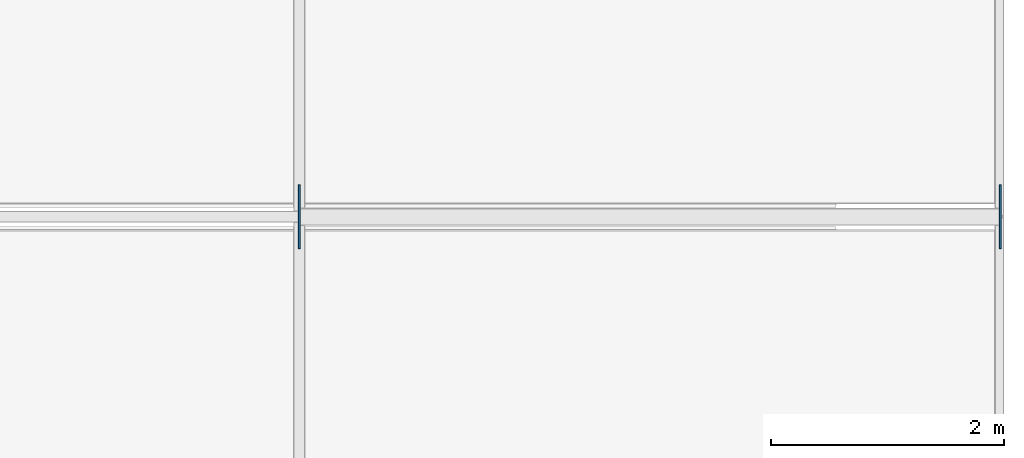
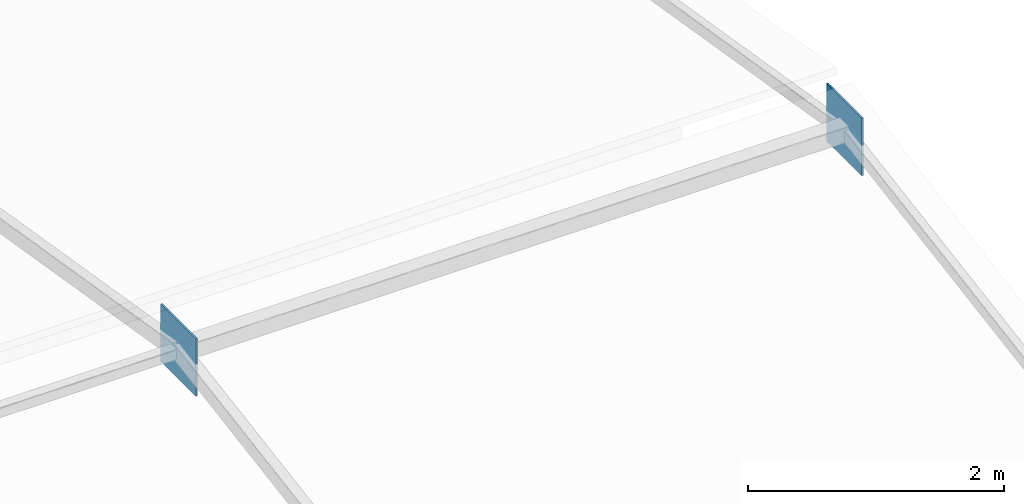
# One storey, part 253 of 262: 2 plates.
"""IFC4 building model written with IfcOpenShell, lengths in metres."""

import ifcopenshell
import ifcopenshell.guid

model = None  # the IFC model being written
_history = None  # IfcOwnerHistory: only IFC2X3 demands one
_inside = {}  # id of a spatial element -> (the spatial element, [elements in it])
_under = {}  # id of a project, library or spatial element -> (it, [spatial elements below it])
_declared = {}  # id of a project -> (the project, [libraries it declares])
_typed = {}  # id of a type object -> (the type object, [elements of that type])
_made_of = {}  # id of a material, layer set ... -> (it, [elements and type objects made of it])


def new_model(schema):
    """Start an empty IFC model of exactly this schema.

    Asked for "IFC4X3", IfcOpenShell would pick the latest addendum, in which some entities
    have other attributes; the version numbers below select the first issue.
    IFC2X3 requires an IfcOwnerHistory on every rooted entity: one is made here for all.
    """
    global model, _history
    if schema == "IFC4X3":
        model = ifcopenshell.file(schema_version=(4, 3, 0, 0))
    else:
        model = ifcopenshell.file(schema=schema)
    _inside.clear()
    _under.clear()
    _declared.clear()
    _typed.clear()
    _made_of.clear()
    _history = None
    if model.schema == "IFC2X3":
        org = make("IfcOrganization", Name="unknown")
        user = make(
            "IfcPersonAndOrganization",
            ThePerson=make("IfcPerson", FamilyName="unknown"),
            TheOrganization=org,
        )
        app = make(
            "IfcApplication",
            ApplicationDeveloper=org,
            Version="unknown",
            ApplicationFullName="unknown",
            ApplicationIdentifier="unknown",
        )
        _history = make(
            "IfcOwnerHistory",
            OwningUser=user,
            OwningApplication=app,
            ChangeAction="ADDED",
            CreationDate=0,
        )
    return model


def make(cls, **values):
    """One entity of the class cls with the attributes given. An attribute that is None is left unset."""
    return model.create_entity(
        cls, **{name: value for name, value in values.items() if value is not None}
    )


def rooted(cls, **values):
    """An entity with a GlobalId (a new one), such as an element, a storey or a relation."""
    return make(cls, GlobalId=ifcopenshell.guid.new(), OwnerHistory=_history, **values)


def si_unit(unit_type, name, prefix=None):
    """IfcSIUnit, for example si_unit("LENGTHUNIT", "METRE", prefix="MILLI")."""
    return make("IfcSIUnit", UnitType=unit_type, Prefix=prefix, Name=name)


def derived_unit(unit_type, elements):
    """IfcDerivedUnit: a product of units, each with its exponent."""
    return make(
        "IfcDerivedUnit",
        Elements=[
            make("IfcDerivedUnitElement", Unit=unit, Exponent=power)
            for unit, power in elements
        ],
        UnitType=unit_type,
    )


def assignment(units):
    """IfcUnitAssignment: the units of a project."""
    return None if units is None else make("IfcUnitAssignment", Units=units)


def point(xyz):
    """IfcCartesianPoint."""
    return None if xyz is None else make("IfcCartesianPoint", Coordinates=xyz)


def direction(xyz):
    """IfcDirection."""
    return None if xyz is None else make("IfcDirection", DirectionRatios=xyz)


def frame(location, z_axis=None, x_axis=None):
    """IfcAxis2Placement3D, a coordinate frame: its origin and axes. An axis left out is left unset."""
    return make(
        "IfcAxis2Placement3D",
        Location=point(location),
        Axis=direction(z_axis),
        RefDirection=direction(x_axis),
    )


def frame_2d(location, x_axis=None):
    """IfcAxis2Placement2D, a coordinate frame in the plane: its origin and x axis."""
    return make(
        "IfcAxis2Placement2D", Location=point(location), RefDirection=direction(x_axis)
    )


def origin():
    """The frame at (0, 0, 0) with its axes left unset."""
    return frame((0.0, 0.0, 0.0))


def origin_2d():
    """The frame at (0, 0) in the plane with its x axis left unset."""
    return frame_2d((0.0, 0.0))


def place(relative_to, where):
    """IfcLocalPlacement: puts the frame where relative to a parent placement (None: the world)."""
    return make(
        "IfcLocalPlacement", PlacementRelTo=relative_to, RelativePlacement=where
    )


def context(
    kind, dimensions, precision=None, world=None, true_north=None, identifier=None
):
    """IfcGeometricRepresentationContext, for example the 3D "Model" context."""
    return make(
        "IfcGeometricRepresentationContext",
        ContextIdentifier=identifier,
        ContextType=kind,
        CoordinateSpaceDimension=dimensions,
        Precision=precision,
        WorldCoordinateSystem=world,
        TrueNorth=true_north,
    )


def subcontext(parent, identifier, kind, view, scale=None):
    """IfcGeometricRepresentationSubContext, for example "Body" below "Model"."""
    return make(
        "IfcGeometricRepresentationSubContext",
        ContextIdentifier=identifier,
        ContextType=kind,
        ParentContext=parent,
        TargetScale=scale,
        TargetView=view,
    )


def project(units=None, contexts=None):
    """IfcProject with its units and contexts."""
    return rooted(
        "IfcProject",
        Name="project",
        RepresentationContexts=contexts,
        UnitsInContext=assignment(units),
    )


def spatial(cls, under=None, at=None, **own):
    """A site, building, storey or space (cls), placed at a placement, below another one or the project."""
    s = rooted(cls, ObjectPlacement=at, **own)
    if under is not None:
        _under.setdefault(under.id(), (under, []))[1].append(s)
    return s


def profile(cls, at=None, kind="AREA", **sizes):
    """A parametric profile (cls). Its sizes go by their IFC names, for example OverallWidth=200.0."""
    return make(cls, ProfileType=kind, Position=at, **sizes)


def rectangle(**sizes):
    """IfcRectangleProfileDef."""
    return profile("IfcRectangleProfileDef", **sizes)


def extrude(swept, where, along, depth):
    """IfcExtrudedAreaSolid: the profile swept, set in the frame where, extruded along a direction by depth."""
    return make(
        "IfcExtrudedAreaSolid",
        SweptArea=swept,
        Position=where,
        ExtrudedDirection=direction(along),
        Depth=depth,
    )


def shape(context_of_items, identifier, shape_type, items):
    """IfcShapeRepresentation: the items that make up one representation, for example the "Body"."""
    return make(
        "IfcShapeRepresentation",
        ContextOfItems=context_of_items,
        RepresentationIdentifier=identifier,
        RepresentationType=shape_type,
        Items=items,
    )


def material(Name=None, Category=None):
    """IfcMaterial."""
    return make("IfcMaterial", Name=Name, Category=Category)


def layer(
    of_material, thickness, ventilated=None, Name=None, Category=None, Priority=None
):
    """IfcMaterialLayer: one layer of a wall or slab, of a material (None: an air gap)."""
    return make(
        "IfcMaterialLayer",
        Material=of_material,
        LayerThickness=thickness,
        IsVentilated=ventilated,
        Name=Name,
        Category=Category,
        Priority=Priority,
    )


def layer_set(layers, Name=None):
    """IfcMaterialLayerSet."""
    return make("IfcMaterialLayerSet", MaterialLayers=layers, LayerSetName=Name)


def made_of(thing, what):
    """Note that an element or type object is made of a material, layer set ...; save() writes the relation."""
    if what is not None:
        _made_of.setdefault(what.id(), (what, []))[1].append(thing)
    return thing


def type_object(cls, material=None, **own):
    """A type object (cls), such as IfcWallType, which elements share."""
    return made_of(rooted(cls, **own), material)


def element(
    cls,
    number,
    at=None,
    inside=None,
    cuts=None,
    type_object=None,
    material=None,
    context=None,
    identifier="Body",
    shape_type=None,
    held_by="IfcProductDefinitionShape",
    body=None,
    shapes=None,
    **own,
):
    """One element of the class cls, such as IfcWall. Its Tag is "e" and its number.

    at: its placement. inside: the storey or other place that contains it. cuts: it is an
    opening in that element (IfcRelVoidsElement). A single representation is given by context,
    identifier, shape_type and body (its items); several are given by shapes. held_by: the class
    of the entity that holds the representations. save() writes the other relations.
    """
    e = rooted(cls, Tag="e%d" % number, ObjectPlacement=at, **own)
    if body is not None:
        shapes = [shape(context, identifier, shape_type, body)]
    if shapes is not None:
        e.Representation = make(held_by, Representations=shapes)
    if inside is not None:
        _inside.setdefault(inside.id(), (inside, []))[1].append(e)
    if cuts is not None:
        rooted(
            "IfcRelVoidsElement", RelatingBuildingElement=cuts, RelatedOpeningElement=e
        )
    if type_object is not None:
        _typed.setdefault(type_object.id(), (type_object, []))[1].append(e)
    return made_of(e, material)


def aggregate(whole, parts):
    """IfcRelAggregates: a whole, such as a stair, and the parts it consists of."""
    return rooted("IfcRelAggregates", RelatingObject=whole, RelatedObjects=parts)


def save(model, path):
    """Write the relations noted so far, then the file.

    IfcRelAggregates (storeys below a building ...), IfcRelContainedInSpatialStructure (elements
    in a storey), IfcRelDefinesByType, IfcRelAssociatesMaterial and IfcRelDeclares: one each for
    every whole, place, type object, material and project.
    """
    for whole, parts in _under.values():
        aggregate(whole, parts)
    for where, things in _inside.values():
        rooted(
            "IfcRelContainedInSpatialStructure",
            RelatedElements=things,
            RelatingStructure=where,
        )
    for kind, things in _typed.values():
        rooted("IfcRelDefinesByType", RelatedObjects=things, RelatingType=kind)
    for what, things in _made_of.values():
        rooted("IfcRelAssociatesMaterial", RelatedObjects=things, RelatingMaterial=what)
    for by, libraries in _declared.values():
        rooted("IfcRelDeclares", RelatingContext=by, RelatedDefinitions=libraries)
    model.write(path)


model = new_model("IFC4")

# Units and contexts
model_context = context("Model", 3, precision=1e-05, world=origin(), true_north=direction((0.0, 1.0)))
body_context = subcontext(model_context, "Body", "Model", "MODEL_VIEW")
ifc_project = project(units=[si_unit("LENGTHUNIT", "METRE"), si_unit("AREAUNIT", "SQUARE_METRE"), si_unit("VOLUMEUNIT", "CUBIC_METRE"), si_unit("PLANEANGLEUNIT", "RADIAN"), si_unit("MASSUNIT", "GRAM", prefix="KILO"), derived_unit("THERMALTRANSMITTANCEUNIT", [(si_unit("POWERUNIT", "WATT"), 1), (si_unit("LENGTHUNIT", "METRE"), -2), (si_unit("THERMODYNAMICTEMPERATUREUNIT", "KELVIN"), -1)])], contexts=[model_context])

# Site, building, storey
site_placement = place(None, origin())
site = spatial("IfcSite", under=ifc_project, at=site_placement, CompositionType="ELEMENT")
building_placement = place(site_placement, origin())
building = spatial("IfcBuilding", under=site, at=building_placement, Name="Almenara Railside Exhibition Hall", CompositionType="ELEMENT")
storey_placement = place(building_placement, frame((0.0, 0.0, 21.699951171875)))
storey = spatial("IfcBuildingStorey", under=building, at=storey_placement, Name="RF", CompositionType="ELEMENT", Elevation=21.699951171875)

# Plates
ifc_material = material(Name="Structural steel S355JR", Category="steel")
ifc_layer = layer(ifc_material, 0.01611328125, Name="Structural steel S355JR")
ifc_layer_set = layer_set([ifc_layer], Name="Structural steel S355JR")
plate_type = type_object("IfcPlateType", Name="Truss Node Gusset Plate 16mm S355JR", PredefinedType="USERDEFINED", material=ifc_layer_set)
for number, where, z_axis, x_axis, name in (
    (1, (198.0, 14.0, 0.8251953125), (0.0, 0.0, 1.0), (0.0, 1.0, 0.0), "PLT-GUS-0354"),
    (2, (204.008056640625, 14.0, 0.8251953125), (0.0, 0.0, 1.0), (0.0, 1.0, 0.0), "PLT-GUS-0355"),
):
    element("IfcPlate", number, at=place(storey_placement, frame(where, z_axis=z_axis, x_axis=x_axis)), inside=storey, type_object=plate_type, Name=name, ObjectType="GUSSET_PLATE", PredefinedType="USERDEFINED", context=body_context, shape_type="SweptSolid", body=[
        extrude(rectangle(XDim=0.550048828125, YDim=0.01611328125, at=origin_2d()), origin(), (0.0, 0.0, 1.0), 0.550048828125),
    ])

save(model, "model.ifc")
